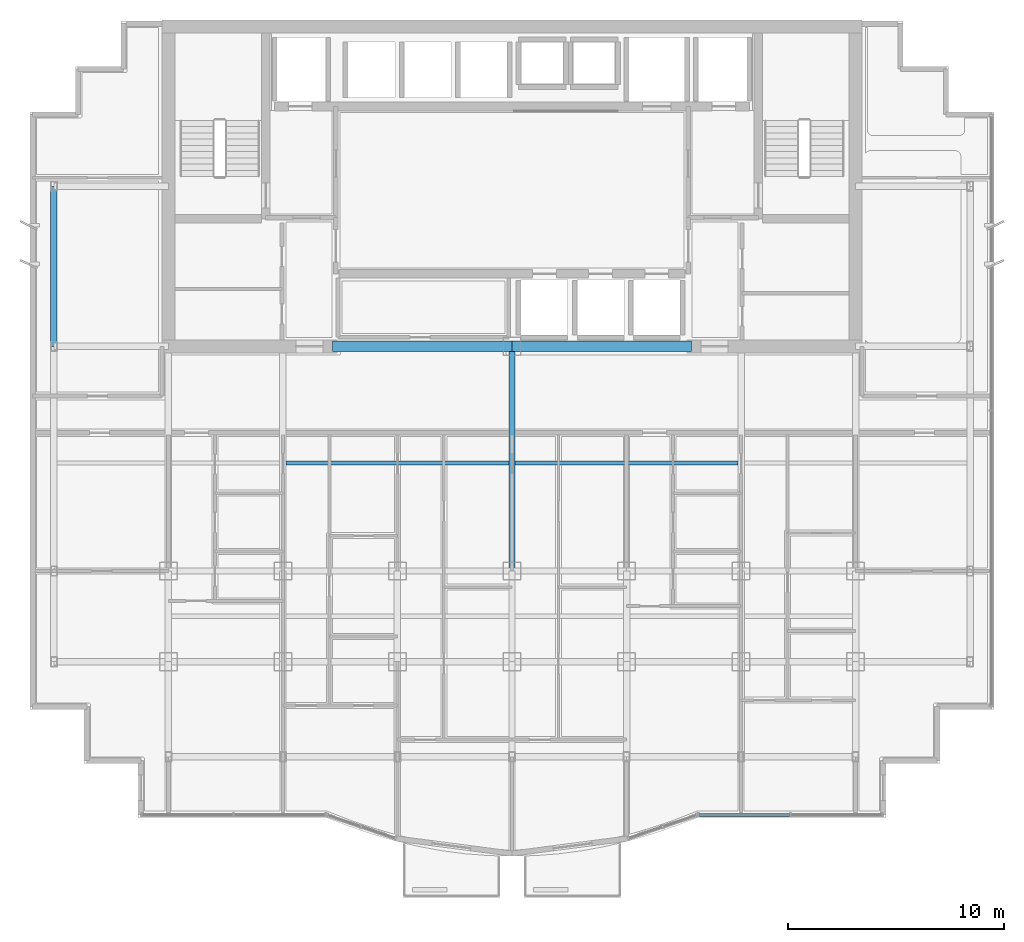
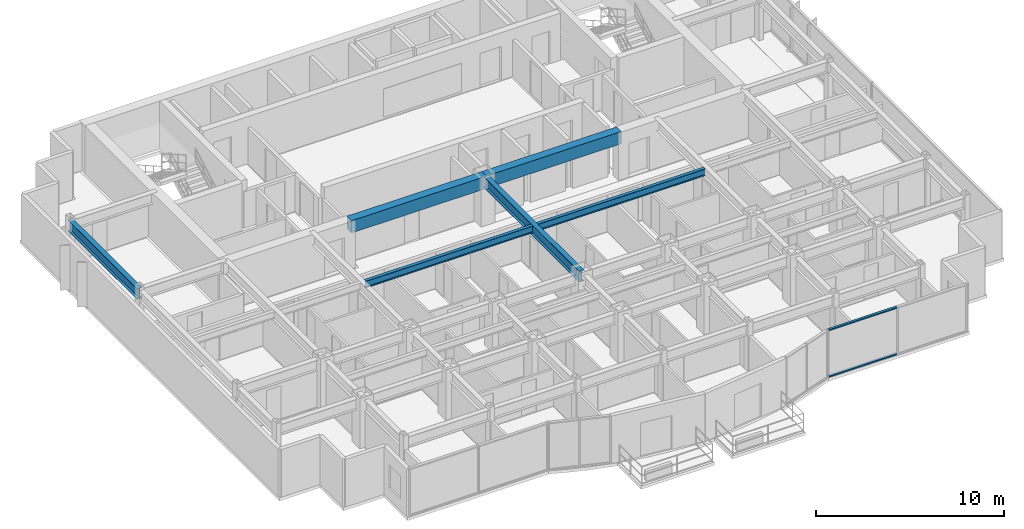
# One storey, part 3 of 13: 6 beams, 2 members, 1 element without a shape of its own.
"""IFC4 building model written with IfcOpenShell, lengths in metres."""

from ifc_helpers import new_model, si_unit, direction, frame, origin, origin_2d, place, context, subcontext, project, spatial, rectangle, i_section, extrude, source, transform, mapped, material, layer, layer_set, material_profile, profile_set, type_object, element, aggregate, save


model = new_model("IFC4")

# Units and contexts
model_context = context("Model", 3, precision=1e-05, world=origin(), true_north=direction((0.0, 1.0)))
body_context = subcontext(model_context, "Body", "Model", "MODEL_VIEW")
ifc_project = project(units=[si_unit("LENGTHUNIT", "METRE"), si_unit("AREAUNIT", "SQUARE_METRE"), si_unit("VOLUMEUNIT", "CUBIC_METRE"), si_unit("PLANEANGLEUNIT", "RADIAN"), si_unit("MASSUNIT", "GRAM", prefix="KILO")], contexts=[model_context])

# Site, building, storey
site_placement = place(None, origin())
site = spatial("IfcSite", under=ifc_project, at=site_placement, CompositionType="ELEMENT")
building_placement = place(site_placement, origin())
building = spatial("IfcBuilding", under=site, at=building_placement, Name="Qianlan Lanfeng Residences", CompositionType="ELEMENT")
storey_placement = place(building_placement, frame((0.0, 0.0, 178.800048828125)))
storey = spatial("IfcBuildingStorey", under=building, at=storey_placement, Name="L49", CompositionType="ELEMENT", Elevation=178.800048828125)

# Beams
ifc_material_1 = material(Name="Steel SN490B", Category="steel")
ifc_material_profile_1 = material_profile(ifc_material_1, i_section(OverallWidth=0.300048828125, OverallDepth=0.699951171875, WebThickness=0.012939453125, FlangeThickness=0.02392578125, at=origin_2d()), Name="H 700x300x13x24")
ifc_profile_set_1 = profile_set([ifc_material_profile_1], Name="Steel SN490B")
beam_type_1 = type_object("IfcBeamType", Name="G-750", PredefinedType="BEAM", material=ifc_profile_set_1)
beam_1_placement = place(storey_placement, frame((26.5, 14.800048828125, 2.75), z_axis=(0.0, 1.0, 0.0), x_axis=(-1.0, 0.0, 0.0)))
element("IfcBeam", 1, at=beam_1_placement, inside=storey, type_object=beam_type_1, Name="Structural beam G-750", PredefinedType="BEAM", context=body_context, shape_type="SweptSolid", body=[
    extrude(i_section(OverallWidth=0.300048828125, OverallDepth=0.699951171875, WebThickness=0.012939453125, FlangeThickness=0.02392578125, at=origin_2d()), origin(), (0.0, 0.0, 1.0), 10.39990234375),
])
ifc_material_profile_2 = material_profile(ifc_material_1, i_section(OverallWidth=0.199951171875, OverallDepth=0.449951171875, WebThickness=0.009033203125, FlangeThickness=0.013916015625, at=origin_2d()), Name="H 450x200x9x14")
ifc_profile_set_2 = profile_set([ifc_material_profile_2], Name="Steel SN490B")
beam_type_2 = type_object("IfcBeamType", Name="J-450", PredefinedType="JOIST", material=ifc_profile_set_2)
for number, where, z_axis, x_axis, name in (
    (2, (16.050048828125, 19.800048828125, 2.875), (1.0, 0.0, 0.0), (0.0, 1.0, 0.0), "Structural beam J-450"),
    (3, (26.64990234375, 19.800048828125, 2.875), (1.0, 0.0, 0.0), (0.0, 1.0, 0.0), "Structural beam J-450"),
):
    element("IfcBeam", number, at=place(storey_placement, frame(where, z_axis=z_axis, x_axis=x_axis)), inside=storey, type_object=beam_type_2, Name=name, PredefinedType="JOIST", context=body_context, shape_type="SweptSolid", body=[
        extrude(i_section(OverallWidth=0.199951171875, OverallDepth=0.449951171875, WebThickness=0.009033203125, FlangeThickness=0.013916015625, at=origin_2d()), origin(), (0.0, 0.0, 1.0), 10.300048828125),
    ])
ifc_material_2 = material(Name="Concrete C49", Category="concrete")
ifc_material_profile_3 = material_profile(ifc_material_2, rectangle(XDim=0.5, YDim=0.800048828125, at=origin_2d()), Name="RC 500x800")
ifc_profile_set_3 = profile_set([ifc_material_profile_3], Name="Concrete C49")
beam_type_3 = type_object("IfcBeamType", Name="LB-RC750", PredefinedType="BEAM", material=ifc_profile_set_3)
for number, where, z_axis, x_axis, name in (
    (4, (18.199951171875, 25.199951171875, 2.699951171875), (1.0, 0.0, 0.0), (0.0, 1.0, 0.0), "L49 Core Coupling Beam W"),
    (5, (26.5, 25.199951171875, 2.699951171875), (1.0, 0.0, 0.0), (0.0, 1.0, 0.0), "L49 Core Coupling Beam E"),
):
    element("IfcBeam", number, at=place(storey_placement, frame(where, z_axis=z_axis, x_axis=x_axis)), inside=storey, type_object=beam_type_3, Name=name, PredefinedType="BEAM", context=body_context, shape_type="SweptSolid", body=[
        extrude(rectangle(XDim=0.5, YDim=0.800048828125, at=origin_2d()), origin(), (0.0, 0.0, 1.0), 8.300048828125),
    ])
ifc_material_profile_4 = material_profile(ifc_material_1, i_section(OverallWidth=0.300048828125, OverallDepth=0.699951171875, WebThickness=0.012939453125, FlangeThickness=0.02392578125, at=origin_2d()), Name="H 700x300x13x24")
ifc_profile_set_4 = profile_set([ifc_material_profile_4], Name="Steel SN490B")
beam_type_4 = type_object("IfcBeamType", Name="SG-750", PredefinedType="SPANDREL", material=ifc_profile_set_4)
beam_2_placement = place(storey_placement, frame((5.300048828125, 25.199951171875, 2.739990234375), z_axis=(0.0, 1.0, 0.0), x_axis=(-1.0, 0.0, 0.0)))
element("IfcBeam", 6, at=beam_2_placement, inside=storey, type_object=beam_type_4, Name="Structural beam SG-750", PredefinedType="SPANDREL", context=body_context, shape_type="SweptSolid", body=[
    extrude(i_section(OverallWidth=0.300048828125, OverallDepth=0.699951171875, WebThickness=0.012939453125, FlangeThickness=0.02392578125, at=origin_2d()), origin(), (0.0, 0.0, 1.0), 7.400146484375),
])

# Curtain wall, members
ifc_material_3 = material(Name="Anodised Bronze Aluminium 6063-T6", Category="aluminium")
ifc_layer = layer(ifc_material_3, 0.219970703125)
ifc_layer_set = layer_set([ifc_layer], Name="Anodised Bronze Aluminium 6063-T6")
curtain_wall_type = type_object("IfcCurtainWallType", Name="CW-04", PredefinedType="NOTDEFINED", material=ifc_layer_set)
curtain_wall_placement = place(storey_placement, origin())
curtain_wall = element("IfcCurtainWall", 7, at=curtain_wall_placement, inside=storey, type_object=curtain_wall_type, Name="L49 Unitised Curtain Wall CWR-L49-04 (CW-04)", PredefinedType="NOTDEFINED")
ifc_material_profile_5 = material_profile(ifc_material_3, rectangle(XDim=0.074951171875, YDim=0.14990234375, at=origin_2d()), Name="ALU TRANSOM 75x150")
ifc_profile_set_5 = profile_set([ifc_material_profile_5], Name="Anodised Bronze Aluminium 6063-T6")
member_type = type_object("IfcMemberType", Name="CWT-150", PredefinedType="USERDEFINED", material=ifc_profile_set_5)
shared_shape = source(origin(), body_context, "Body", "SweptSolid", [
    extrude(rectangle(XDim=0.074951171875, YDim=0.14990234375, at=origin_2d()), origin(), (0.0, 0.0, 1.0), 4.178955078125),
])
member_1_placement = place(storey_placement, frame((35.172119140625, 3.52001953125, 0.037353515625), z_axis=(1.0, 0.0, 0.0), x_axis=(0.0, 0.0, 1.0)))
member_1 = element("IfcMember", 8, at=member_1_placement, type_object=member_type, Name="CWR-L49-04 Transom 1-BOT", ObjectType="TRANSOM", PredefinedType="USERDEFINED", context=body_context, shape_type="MappedRepresentation", body=[
    mapped(shared_shape, transform((0.0, 0.0, 0.0), scale=1.0)),
])
member_2_placement = place(storey_placement, frame((35.172119140625, 3.52001953125, 3.0625), z_axis=(1.0, 0.0, 0.0), x_axis=(0.0, 0.0, 1.0)))
member_2 = element("IfcMember", 9, at=member_2_placement, type_object=member_type, Name="CWR-L49-04 Transom 1-TOP", ObjectType="TRANSOM", PredefinedType="USERDEFINED", context=body_context, shape_type="MappedRepresentation", body=[
    mapped(shared_shape, transform((0.0, 0.0, 0.0), scale=1.0)),
])
aggregate(curtain_wall, [member_1, member_2])

save(model, "model.ifc")
